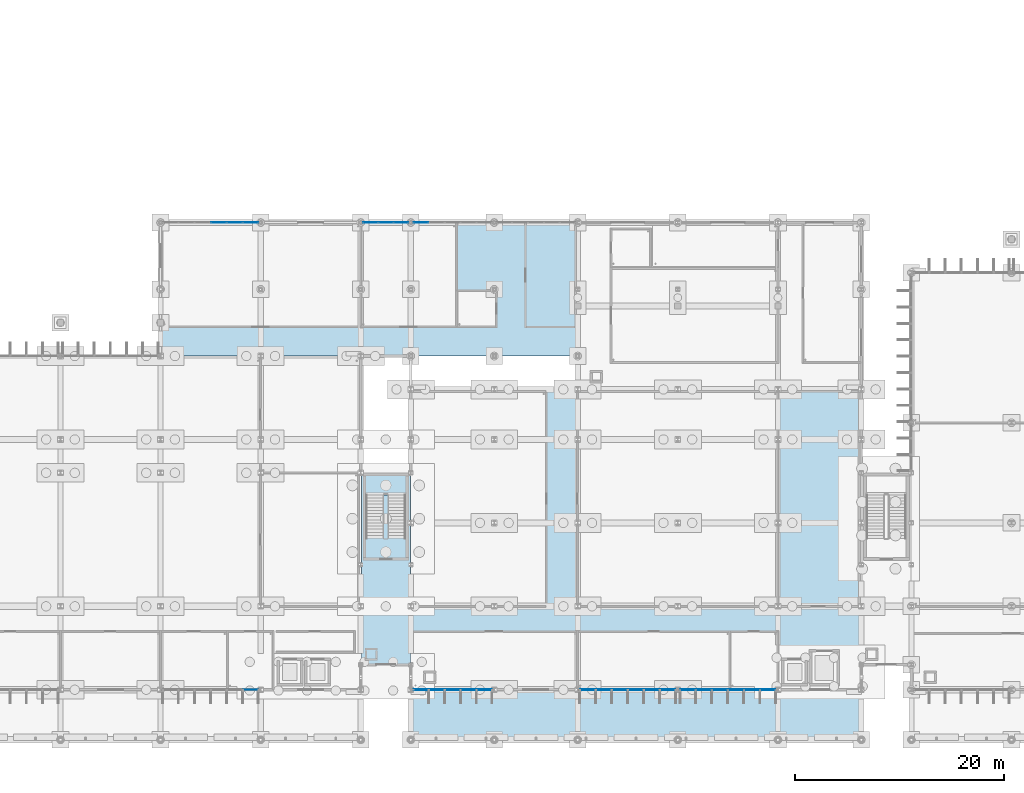
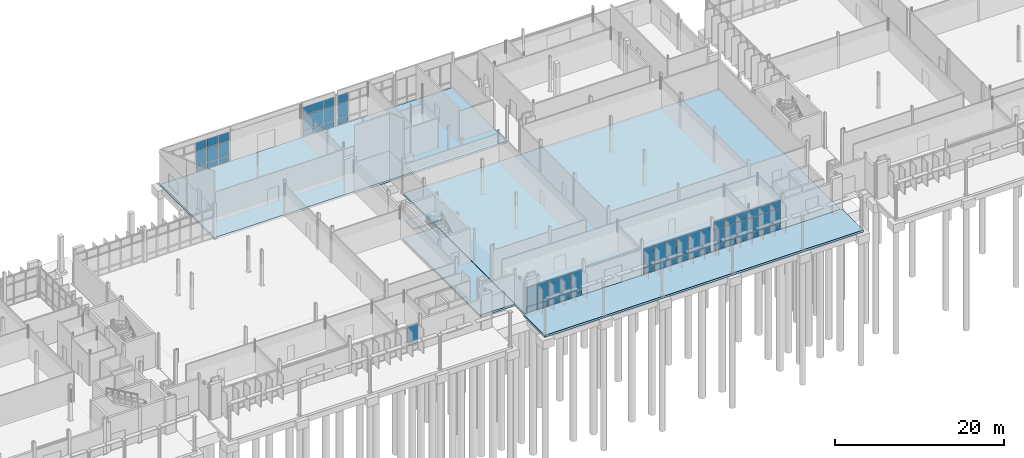
# One storey, part 44 of 111: 62 plates, 5 slabs, 8 elements without a shape of their own.
"""IFC4 building model written with IfcOpenShell, lengths in metres."""

import ifcopenshell
import ifcopenshell.guid

model = None  # the IFC model being written
_history = None  # IfcOwnerHistory: only IFC2X3 demands one
_inside = {}  # id of a spatial element -> (the spatial element, [elements in it])
_under = {}  # id of a project, library or spatial element -> (it, [spatial elements below it])
_declared = {}  # id of a project -> (the project, [libraries it declares])
_typed = {}  # id of a type object -> (the type object, [elements of that type])
_made_of = {}  # id of a material, layer set ... -> (it, [elements and type objects made of it])


def new_model(schema):
    """Start an empty IFC model of exactly this schema.

    Asked for "IFC4X3", IfcOpenShell would pick the latest addendum, in which some entities
    have other attributes; the version numbers below select the first issue.
    IFC2X3 requires an IfcOwnerHistory on every rooted entity: one is made here for all.
    """
    global model, _history
    if schema == "IFC4X3":
        model = ifcopenshell.file(schema_version=(4, 3, 0, 0))
    else:
        model = ifcopenshell.file(schema=schema)
    _inside.clear()
    _under.clear()
    _declared.clear()
    _typed.clear()
    _made_of.clear()
    _history = None
    if model.schema == "IFC2X3":
        org = make("IfcOrganization", Name="unknown")
        user = make(
            "IfcPersonAndOrganization",
            ThePerson=make("IfcPerson", FamilyName="unknown"),
            TheOrganization=org,
        )
        app = make(
            "IfcApplication",
            ApplicationDeveloper=org,
            Version="unknown",
            ApplicationFullName="unknown",
            ApplicationIdentifier="unknown",
        )
        _history = make(
            "IfcOwnerHistory",
            OwningUser=user,
            OwningApplication=app,
            ChangeAction="ADDED",
            CreationDate=0,
        )
    return model


def make(cls, **values):
    """One entity of the class cls with the attributes given. An attribute that is None is left unset."""
    return model.create_entity(
        cls, **{name: value for name, value in values.items() if value is not None}
    )


def rooted(cls, **values):
    """An entity with a GlobalId (a new one), such as an element, a storey or a relation."""
    return make(cls, GlobalId=ifcopenshell.guid.new(), OwnerHistory=_history, **values)


def si_unit(unit_type, name, prefix=None):
    """IfcSIUnit, for example si_unit("LENGTHUNIT", "METRE", prefix="MILLI")."""
    return make("IfcSIUnit", UnitType=unit_type, Prefix=prefix, Name=name)


def assignment(units):
    """IfcUnitAssignment: the units of a project."""
    return None if units is None else make("IfcUnitAssignment", Units=units)


def point(xyz):
    """IfcCartesianPoint."""
    return None if xyz is None else make("IfcCartesianPoint", Coordinates=xyz)


def direction(xyz):
    """IfcDirection."""
    return None if xyz is None else make("IfcDirection", DirectionRatios=xyz)


def frame(location, z_axis=None, x_axis=None):
    """IfcAxis2Placement3D, a coordinate frame: its origin and axes. An axis left out is left unset."""
    return make(
        "IfcAxis2Placement3D",
        Location=point(location),
        Axis=direction(z_axis),
        RefDirection=direction(x_axis),
    )


def frame_2d(location, x_axis=None):
    """IfcAxis2Placement2D, a coordinate frame in the plane: its origin and x axis."""
    return make(
        "IfcAxis2Placement2D", Location=point(location), RefDirection=direction(x_axis)
    )


def origin():
    """The frame at (0, 0, 0) with its axes left unset."""
    return frame((0.0, 0.0, 0.0))


def origin_2d():
    """The frame at (0, 0) in the plane with its x axis left unset."""
    return frame_2d((0.0, 0.0))


def place(relative_to, where):
    """IfcLocalPlacement: puts the frame where relative to a parent placement (None: the world)."""
    return make(
        "IfcLocalPlacement", PlacementRelTo=relative_to, RelativePlacement=where
    )


def context(
    kind, dimensions, precision=None, world=None, true_north=None, identifier=None
):
    """IfcGeometricRepresentationContext, for example the 3D "Model" context."""
    return make(
        "IfcGeometricRepresentationContext",
        ContextIdentifier=identifier,
        ContextType=kind,
        CoordinateSpaceDimension=dimensions,
        Precision=precision,
        WorldCoordinateSystem=world,
        TrueNorth=true_north,
    )


def subcontext(parent, identifier, kind, view, scale=None):
    """IfcGeometricRepresentationSubContext, for example "Body" below "Model"."""
    return make(
        "IfcGeometricRepresentationSubContext",
        ContextIdentifier=identifier,
        ContextType=kind,
        ParentContext=parent,
        TargetScale=scale,
        TargetView=view,
    )


def project(units=None, contexts=None):
    """IfcProject with its units and contexts."""
    return rooted(
        "IfcProject",
        Name="project",
        RepresentationContexts=contexts,
        UnitsInContext=assignment(units),
    )


def spatial(cls, under=None, at=None, **own):
    """A site, building, storey or space (cls), placed at a placement, below another one or the project."""
    s = rooted(cls, ObjectPlacement=at, **own)
    if under is not None:
        _under.setdefault(under.id(), (under, []))[1].append(s)
    return s


def polyline(points):
    """IfcPolyline through the points."""
    return make("IfcPolyline", Points=[point(p) for p in points])


def profile(cls, at=None, kind="AREA", **sizes):
    """A parametric profile (cls). Its sizes go by their IFC names, for example OverallWidth=200.0."""
    return make(cls, ProfileType=kind, Position=at, **sizes)


def rectangle(**sizes):
    """IfcRectangleProfileDef."""
    return profile("IfcRectangleProfileDef", **sizes)


def outline(outer, holes=None, kind="AREA"):
    """IfcArbitraryClosedProfileDef: a profile drawn as a closed curve; with holes, ...WithVoids."""
    if holes is None:
        return make("IfcArbitraryClosedProfileDef", ProfileType=kind, OuterCurve=outer)
    return make(
        "IfcArbitraryProfileDefWithVoids",
        ProfileType=kind,
        OuterCurve=outer,
        InnerCurves=holes,
    )


def extrude(swept, where, along, depth):
    """IfcExtrudedAreaSolid: the profile swept, set in the frame where, extruded along a direction by depth."""
    return make(
        "IfcExtrudedAreaSolid",
        SweptArea=swept,
        Position=where,
        ExtrudedDirection=direction(along),
        Depth=depth,
    )


def shape(context_of_items, identifier, shape_type, items):
    """IfcShapeRepresentation: the items that make up one representation, for example the "Body"."""
    return make(
        "IfcShapeRepresentation",
        ContextOfItems=context_of_items,
        RepresentationIdentifier=identifier,
        RepresentationType=shape_type,
        Items=items,
    )


def material(Name=None, Category=None):
    """IfcMaterial."""
    return make("IfcMaterial", Name=Name, Category=Category)


def layer(
    of_material, thickness, ventilated=None, Name=None, Category=None, Priority=None
):
    """IfcMaterialLayer: one layer of a wall or slab, of a material (None: an air gap)."""
    return make(
        "IfcMaterialLayer",
        Material=of_material,
        LayerThickness=thickness,
        IsVentilated=ventilated,
        Name=Name,
        Category=Category,
        Priority=Priority,
    )


def layer_set(layers, Name=None):
    """IfcMaterialLayerSet."""
    return make("IfcMaterialLayerSet", MaterialLayers=layers, LayerSetName=Name)


def made_of(thing, what):
    """Note that an element or type object is made of a material, layer set ...; save() writes the relation."""
    if what is not None:
        _made_of.setdefault(what.id(), (what, []))[1].append(thing)
    return thing


def type_object(cls, material=None, **own):
    """A type object (cls), such as IfcWallType, which elements share."""
    return made_of(rooted(cls, **own), material)


def element(
    cls,
    number,
    at=None,
    inside=None,
    cuts=None,
    type_object=None,
    material=None,
    context=None,
    identifier="Body",
    shape_type=None,
    held_by="IfcProductDefinitionShape",
    body=None,
    shapes=None,
    **own,
):
    """One element of the class cls, such as IfcWall. Its Tag is "e" and its number.

    at: its placement. inside: the storey or other place that contains it. cuts: it is an
    opening in that element (IfcRelVoidsElement). A single representation is given by context,
    identifier, shape_type and body (its items); several are given by shapes. held_by: the class
    of the entity that holds the representations. save() writes the other relations.
    """
    e = rooted(cls, Tag="e%d" % number, ObjectPlacement=at, **own)
    if body is not None:
        shapes = [shape(context, identifier, shape_type, body)]
    if shapes is not None:
        e.Representation = make(held_by, Representations=shapes)
    if inside is not None:
        _inside.setdefault(inside.id(), (inside, []))[1].append(e)
    if cuts is not None:
        rooted(
            "IfcRelVoidsElement", RelatingBuildingElement=cuts, RelatedOpeningElement=e
        )
    if type_object is not None:
        _typed.setdefault(type_object.id(), (type_object, []))[1].append(e)
    return made_of(e, material)


def aggregate(whole, parts):
    """IfcRelAggregates: a whole, such as a stair, and the parts it consists of."""
    return rooted("IfcRelAggregates", RelatingObject=whole, RelatedObjects=parts)


def save(model, path):
    """Write the relations noted so far, then the file.

    IfcRelAggregates (storeys below a building ...), IfcRelContainedInSpatialStructure (elements
    in a storey), IfcRelDefinesByType, IfcRelAssociatesMaterial and IfcRelDeclares: one each for
    every whole, place, type object, material and project.
    """
    for whole, parts in _under.values():
        aggregate(whole, parts)
    for where, things in _inside.values():
        rooted(
            "IfcRelContainedInSpatialStructure",
            RelatedElements=things,
            RelatingStructure=where,
        )
    for kind, things in _typed.values():
        rooted("IfcRelDefinesByType", RelatedObjects=things, RelatingType=kind)
    for what, things in _made_of.values():
        rooted("IfcRelAssociatesMaterial", RelatedObjects=things, RelatingMaterial=what)
    for by, libraries in _declared.values():
        rooted("IfcRelDeclares", RelatingContext=by, RelatedDefinitions=libraries)
    model.write(path)


model = new_model("IFC4")

# Units and contexts
model_context = context("Model", 3, precision=1e-05, world=origin(), true_north=direction((0.0, 1.0)))
body_context = subcontext(model_context, "Body", "Model", "MODEL_VIEW")
ifc_project = project(units=[si_unit("LENGTHUNIT", "METRE"), si_unit("AREAUNIT", "SQUARE_METRE"), si_unit("VOLUMEUNIT", "CUBIC_METRE"), si_unit("PLANEANGLEUNIT", "RADIAN"), si_unit("MASSUNIT", "GRAM", prefix="KILO")], contexts=[model_context])

# Site, building, storey
site_placement = place(None, origin())
site = spatial("IfcSite", under=ifc_project, at=site_placement, CompositionType="ELEMENT")
building_placement = place(site_placement, origin())
building = spatial("IfcBuilding", under=site, at=building_placement, Name="Dunescarp Central Library", CompositionType="ELEMENT")
storey_placement = place(building_placement, origin())
storey = spatial("IfcBuildingStorey", under=building, at=storey_placement, Name="L00", CompositionType="ELEMENT", Elevation=0.0)

# Curtain wall, plate
ifc_material_1 = material(Name="Marine-grade anodised aluminium 6063-T6", Category="aluminium")
curtain_wall_type = type_object("IfcCurtainWallType", Name="ARC-CW-STICK", PredefinedType="NOTDEFINED", material=ifc_material_1)
curtain_wall_1_placement = place(storey_placement, origin())
curtain_wall_1 = element("IfcCurtainWall", 1, at=curtain_wall_1_placement, inside=storey, type_object=curtain_wall_type, Name="L00 curtain wall CW-V2-045", PredefinedType="NOTDEFINED")
ifc_material_2 = material(Name="Solar-control laminated double glazing", Category="glass")
ifc_layer_1 = layer(ifc_material_2, 0.028076171875)
ifc_layer_set_1 = layer_set([ifc_layer_1], Name="Solar-control laminated double glazing")
plate_type_1 = type_object("IfcPlateType", Name="ARC-PLT-GLZ28", PredefinedType="CURTAIN_PANEL", material=ifc_layer_set_1)
plate_1_placement = place(storey_placement, frame((66.234130859375, 4.800048828125, 0.93994140625), z_axis=(0.0, 0.0, 1.0), x_axis=(-1.0, 0.0, 0.0)))
plate_1 = element("IfcPlate", 2, at=plate_1_placement, type_object=plate_type_1, Name="CW-V2-045 panel 1.2", PredefinedType="CURTAIN_PANEL", context=body_context, shape_type="SweptSolid", body=[
    extrude(rectangle(XDim=1.421630859375, YDim=0.028076171875, at=origin_2d()), origin(), (0.0, 0.0, 1.0), 2.784912109375),
])
aggregate(curtain_wall_1, [plate_1])

# Curtain wall, plates
curtain_wall_2_placement = place(storey_placement, origin())
curtain_wall_2 = element("IfcCurtainWall", 3, at=curtain_wall_2_placement, inside=storey, type_object=curtain_wall_type, Name="L00 curtain wall CW-V3-081", PredefinedType="NOTDEFINED")
plate_2_placement = place(storey_placement, frame((88.639892578125, 4.800048828125, 0.93994140625), z_axis=(0.0, 0.0, 1.0), x_axis=(-1.0, 0.0, 0.0)))
plate_2 = element("IfcPlate", 4, at=plate_2_placement, type_object=plate_type_1, Name="CW-V3-081 panel 1.2", PredefinedType="CURTAIN_PANEL", context=body_context, shape_type="SweptSolid", body=[
    extrude(rectangle(XDim=1.409912109375, YDim=0.028076171875, at=origin_2d()), origin(), (0.0, 0.0, 1.0), 2.784912109375),
])
plate_3_placement = place(storey_placement, frame((87.1298828125, 4.800048828125, 0.93994140625), z_axis=(0.0, 0.0, 1.0), x_axis=(-1.0, 0.0, 0.0)))
plate_3 = element("IfcPlate", 5, at=plate_3_placement, type_object=plate_type_1, Name="CW-V3-081 panel 2.2", PredefinedType="CURTAIN_PANEL", context=body_context, shape_type="SweptSolid", body=[
    extrude(rectangle(XDim=1.449951171875, YDim=0.028076171875, at=origin_2d()), origin(), (0.0, 0.0, 1.0), 2.784912109375),
])
plate_4_placement = place(storey_placement, frame((85.60009765625, 4.800048828125, 0.93994140625), z_axis=(0.0, 0.0, 1.0), x_axis=(-1.0, 0.0, 0.0)))
plate_4 = element("IfcPlate", 6, at=plate_4_placement, type_object=plate_type_1, Name="CW-V3-081 panel 3.2", PredefinedType="CURTAIN_PANEL", context=body_context, shape_type="SweptSolid", body=[
    extrude(rectangle(XDim=1.449951171875, YDim=0.028076171875, at=origin_2d()), origin(), (0.0, 0.0, 1.0), 2.784912109375),
])
plate_5_placement = place(storey_placement, frame((84.070068359375, 4.800048828125, 0.93994140625), z_axis=(0.0, 0.0, 1.0), x_axis=(-1.0, 0.0, 0.0)))
plate_5 = element("IfcPlate", 7, at=plate_5_placement, type_object=plate_type_1, Name="CW-V3-081 panel 4.2", PredefinedType="CURTAIN_PANEL", context=body_context, shape_type="SweptSolid", body=[
    extrude(rectangle(XDim=1.449951171875, YDim=0.028076171875, at=origin_2d()), origin(), (0.0, 0.0, 1.0), 2.784912109375),
])
plate_6_placement = place(storey_placement, frame((82.56005859375, 4.800048828125, 0.93994140625), z_axis=(0.0, 0.0, 1.0), x_axis=(-1.0, 0.0, 0.0)))
plate_6 = element("IfcPlate", 8, at=plate_6_placement, type_object=plate_type_1, Name="CW-V3-081 panel 5.2", PredefinedType="CURTAIN_PANEL", context=body_context, shape_type="SweptSolid", body=[
    extrude(rectangle(XDim=1.409912109375, YDim=0.028076171875, at=origin_2d()), origin(), (0.0, 0.0, 1.0), 2.784912109375),
])

curtain_wall_3_placement = place(storey_placement, origin())
curtain_wall_3 = element("IfcCurtainWall", 9, at=curtain_wall_3_placement, inside=storey, type_object=curtain_wall_type, Name="L00 curtain wall CW-V3-082", PredefinedType="NOTDEFINED")
plate_7_placement = place(storey_placement, frame((106.234130859375, 4.800048828125, 0.93994140625), z_axis=(0.0, 0.0, 1.0), x_axis=(-1.0, 0.0, 0.0)))
plate_7 = element("IfcPlate", 10, at=plate_7_placement, type_object=plate_type_1, Name="CW-V3-082 panel 1.2", PredefinedType="CURTAIN_PANEL", context=body_context, shape_type="SweptSolid", body=[
    extrude(rectangle(XDim=1.421630859375, YDim=0.028076171875, at=origin_2d()), origin(), (0.0, 0.0, 1.0), 2.784912109375),
])
plate_8_placement = place(storey_placement, frame((104.71240234375, 4.800048828125, 0.93994140625), z_axis=(0.0, 0.0, 1.0), x_axis=(-1.0, 0.0, 0.0)))
plate_8 = element("IfcPlate", 11, at=plate_8_placement, type_object=plate_type_1, Name="CW-V3-082 panel 2.2", PredefinedType="CURTAIN_PANEL", context=body_context, shape_type="SweptSolid", body=[
    extrude(rectangle(XDim=1.461669921875, YDim=0.028076171875, at=origin_2d()), origin(), (0.0, 0.0, 1.0), 2.784912109375),
])
plate_9_placement = place(storey_placement, frame((103.1708984375, 4.800048828125, 0.93994140625), z_axis=(0.0, 0.0, 1.0), x_axis=(-1.0, 0.0, 0.0)))
plate_9 = element("IfcPlate", 12, at=plate_9_placement, type_object=plate_type_1, Name="CW-V3-082 panel 3.2", PredefinedType="CURTAIN_PANEL", context=body_context, shape_type="SweptSolid", body=[
    extrude(rectangle(XDim=1.461669921875, YDim=0.028076171875, at=origin_2d()), origin(), (0.0, 0.0, 1.0), 2.784912109375),
])
plate_10_placement = place(storey_placement, frame((101.629150390625, 4.800048828125, 0.93994140625), z_axis=(0.0, 0.0, 1.0), x_axis=(-1.0, 0.0, 0.0)))
plate_10 = element("IfcPlate", 13, at=plate_10_placement, type_object=plate_type_1, Name="CW-V3-082 panel 4.2", PredefinedType="CURTAIN_PANEL", context=body_context, shape_type="SweptSolid", body=[
    extrude(rectangle(XDim=1.461669921875, YDim=0.028076171875, at=origin_2d()), origin(), (0.0, 0.0, 1.0), 2.784912109375),
])
plate_11_placement = place(storey_placement, frame((100.08740234375, 4.800048828125, 0.93994140625), z_axis=(0.0, 0.0, 1.0), x_axis=(-1.0, 0.0, 0.0)))
plate_11 = element("IfcPlate", 14, at=plate_11_placement, type_object=plate_type_1, Name="CW-V3-082 panel 5.2", PredefinedType="CURTAIN_PANEL", context=body_context, shape_type="SweptSolid", body=[
    extrude(rectangle(XDim=1.461669921875, YDim=0.028076171875, at=origin_2d()), origin(), (0.0, 0.0, 1.0), 2.784912109375),
])
plate_12_placement = place(storey_placement, frame((98.56591796875, 4.800048828125, 0.93994140625), z_axis=(0.0, 0.0, 1.0), x_axis=(-1.0, 0.0, 0.0)))
plate_12 = element("IfcPlate", 15, at=plate_12_placement, type_object=plate_type_1, Name="CW-V3-082 panel 6.2", PredefinedType="CURTAIN_PANEL", context=body_context, shape_type="SweptSolid", body=[
    extrude(rectangle(XDim=1.421630859375, YDim=0.028076171875, at=origin_2d()), origin(), (0.0, 0.0, 1.0), 2.784912109375),
])

curtain_wall_4_placement = place(storey_placement, origin())
curtain_wall_4 = element("IfcCurtainWall", 16, at=curtain_wall_4_placement, inside=storey, type_object=curtain_wall_type, Name="L00 curtain wall CW-V3-083", PredefinedType="NOTDEFINED")
plate_13_placement = place(storey_placement, frame((115.834228515625, 4.800048828125, 0.93994140625), z_axis=(0.0, 0.0, 1.0), x_axis=(-1.0, 0.0, 0.0)))
plate_13 = element("IfcPlate", 17, at=plate_13_placement, type_object=plate_type_1, Name="CW-V3-083 panel 1.2", PredefinedType="CURTAIN_PANEL", context=body_context, shape_type="SweptSolid", body=[
    extrude(rectangle(XDim=1.421630859375, YDim=0.028076171875, at=origin_2d()), origin(), (0.0, 0.0, 1.0), 2.1201171875),
])
plate_14_placement = place(storey_placement, frame((115.834228515625, 4.800048828125, 3.14013671875), z_axis=(0.0, 0.0, 1.0), x_axis=(-1.0, 0.0, 0.0)))
plate_14 = element("IfcPlate", 18, at=plate_14_placement, type_object=plate_type_1, Name="CW-V3-083 panel 1.3", PredefinedType="CURTAIN_PANEL", context=body_context, shape_type="SweptSolid", body=[
    extrude(rectangle(XDim=1.421630859375, YDim=0.028076171875, at=origin_2d()), origin(), (0.0, 0.0, 1.0), 1.0849609375),
])
plate_15_placement = place(storey_placement, frame((114.3125, 4.800048828125, 0.93994140625), z_axis=(0.0, 0.0, 1.0), x_axis=(-1.0, 0.0, 0.0)))
plate_15 = element("IfcPlate", 19, at=plate_15_placement, type_object=plate_type_1, Name="CW-V3-083 panel 2.2", PredefinedType="CURTAIN_PANEL", context=body_context, shape_type="SweptSolid", body=[
    extrude(rectangle(XDim=1.461669921875, YDim=0.028076171875, at=origin_2d()), origin(), (0.0, 0.0, 1.0), 2.1201171875),
])
plate_16_placement = place(storey_placement, frame((114.3125, 4.800048828125, 3.14013671875), z_axis=(0.0, 0.0, 1.0), x_axis=(-1.0, 0.0, 0.0)))
plate_16 = element("IfcPlate", 20, at=plate_16_placement, type_object=plate_type_1, Name="CW-V3-083 panel 2.3", PredefinedType="CURTAIN_PANEL", context=body_context, shape_type="SweptSolid", body=[
    extrude(rectangle(XDim=1.461669921875, YDim=0.028076171875, at=origin_2d()), origin(), (0.0, 0.0, 1.0), 1.0849609375),
])
plate_17_placement = place(storey_placement, frame((112.770751953125, 4.800048828125, 0.93994140625), z_axis=(0.0, 0.0, 1.0), x_axis=(-1.0, 0.0, 0.0)))
plate_17 = element("IfcPlate", 21, at=plate_17_placement, type_object=plate_type_1, Name="CW-V3-083 panel 3.2", PredefinedType="CURTAIN_PANEL", context=body_context, shape_type="SweptSolid", body=[
    extrude(rectangle(XDim=1.461669921875, YDim=0.028076171875, at=origin_2d()), origin(), (0.0, 0.0, 1.0), 2.1201171875),
])
plate_18_placement = place(storey_placement, frame((112.770751953125, 4.800048828125, 3.14013671875), z_axis=(0.0, 0.0, 1.0), x_axis=(-1.0, 0.0, 0.0)))
plate_18 = element("IfcPlate", 22, at=plate_18_placement, type_object=plate_type_1, Name="CW-V3-083 panel 3.3", PredefinedType="CURTAIN_PANEL", context=body_context, shape_type="SweptSolid", body=[
    extrude(rectangle(XDim=1.461669921875, YDim=0.028076171875, at=origin_2d()), origin(), (0.0, 0.0, 1.0), 1.0849609375),
])
plate_19_placement = place(storey_placement, frame((111.229248046875, 4.800048828125, 0.93994140625), z_axis=(0.0, 0.0, 1.0), x_axis=(-1.0, 0.0, 0.0)))
plate_19 = element("IfcPlate", 23, at=plate_19_placement, type_object=plate_type_1, Name="CW-V3-083 panel 4.2", PredefinedType="CURTAIN_PANEL", context=body_context, shape_type="SweptSolid", body=[
    extrude(rectangle(XDim=1.461669921875, YDim=0.028076171875, at=origin_2d()), origin(), (0.0, 0.0, 1.0), 2.1201171875),
])
plate_20_placement = place(storey_placement, frame((111.229248046875, 4.800048828125, 3.14013671875), z_axis=(0.0, 0.0, 1.0), x_axis=(-1.0, 0.0, 0.0)))
plate_20 = element("IfcPlate", 24, at=plate_20_placement, type_object=plate_type_1, Name="CW-V3-083 panel 4.3", PredefinedType="CURTAIN_PANEL", context=body_context, shape_type="SweptSolid", body=[
    extrude(rectangle(XDim=1.461669921875, YDim=0.028076171875, at=origin_2d()), origin(), (0.0, 0.0, 1.0), 1.0849609375),
])
plate_21_placement = place(storey_placement, frame((109.6875, 4.800048828125, 0.93994140625), z_axis=(0.0, 0.0, 1.0), x_axis=(-1.0, 0.0, 0.0)))
plate_21 = element("IfcPlate", 25, at=plate_21_placement, type_object=plate_type_1, Name="CW-V3-083 panel 5.2", PredefinedType="CURTAIN_PANEL", context=body_context, shape_type="SweptSolid", body=[
    extrude(rectangle(XDim=1.461669921875, YDim=0.028076171875, at=origin_2d()), origin(), (0.0, 0.0, 1.0), 2.1201171875),
])
plate_22_placement = place(storey_placement, frame((109.6875, 4.800048828125, 3.14013671875), z_axis=(0.0, 0.0, 1.0), x_axis=(-1.0, 0.0, 0.0)))
plate_22 = element("IfcPlate", 26, at=plate_22_placement, type_object=plate_type_1, Name="CW-V3-083 panel 5.3", PredefinedType="CURTAIN_PANEL", context=body_context, shape_type="SweptSolid", body=[
    extrude(rectangle(XDim=1.461669921875, YDim=0.028076171875, at=origin_2d()), origin(), (0.0, 0.0, 1.0), 1.0849609375),
])
plate_23_placement = place(storey_placement, frame((108.165771484375, 4.800048828125, 0.93994140625), z_axis=(0.0, 0.0, 1.0), x_axis=(-1.0, 0.0, 0.0)))
plate_23 = element("IfcPlate", 27, at=plate_23_placement, type_object=plate_type_1, Name="CW-V3-083 panel 6.2", PredefinedType="CURTAIN_PANEL", context=body_context, shape_type="SweptSolid", body=[
    extrude(rectangle(XDim=1.421630859375, YDim=0.028076171875, at=origin_2d()), origin(), (0.0, 0.0, 1.0), 2.1201171875),
])
plate_24_placement = place(storey_placement, frame((108.165771484375, 4.800048828125, 3.14013671875), z_axis=(0.0, 0.0, 1.0), x_axis=(-1.0, 0.0, 0.0)))
plate_24 = element("IfcPlate", 28, at=plate_24_placement, type_object=plate_type_1, Name="CW-V3-083 panel 6.3", PredefinedType="CURTAIN_PANEL", context=body_context, shape_type="SweptSolid", body=[
    extrude(rectangle(XDim=1.421630859375, YDim=0.028076171875, at=origin_2d()), origin(), (0.0, 0.0, 1.0), 1.0849609375),
])

curtain_wall_5_placement = place(storey_placement, origin())
curtain_wall_5 = element("IfcCurtainWall", 29, at=curtain_wall_5_placement, inside=storey, type_object=curtain_wall_type, Name="L00 curtain wall CW-CLN-189", PredefinedType="NOTDEFINED")
plate_25_placement = place(storey_placement, frame((63.1708984375, 49.60009765625, 0.93994140625), z_axis=(0.0, 0.0, 1.0), x_axis=(1.0, 0.0, 0.0)))
plate_25 = element("IfcPlate", 30, at=plate_25_placement, type_object=plate_type_1, Name="CW-CLN-189 panel 4.2", PredefinedType="CURTAIN_PANEL", context=body_context, shape_type="SweptSolid", body=[
    extrude(rectangle(XDim=1.461669921875, YDim=0.028076171875, at=origin_2d()), origin(), (0.0, 0.0, 1.0), 2.1201171875),
])
plate_26_placement = place(storey_placement, frame((63.1708984375, 49.60009765625, 3.14013671875), z_axis=(0.0, 0.0, 1.0), x_axis=(1.0, 0.0, 0.0)))
plate_26 = element("IfcPlate", 31, at=plate_26_placement, type_object=plate_type_1, Name="CW-CLN-189 panel 4.3", PredefinedType="CURTAIN_PANEL", context=body_context, shape_type="SweptSolid", body=[
    extrude(rectangle(XDim=1.461669921875, YDim=0.028076171875, at=origin_2d()), origin(), (0.0, 0.0, 1.0), 1.152099609375),
])
plate_27_placement = place(storey_placement, frame((64.71240234375, 49.60009765625, 0.93994140625), z_axis=(0.0, 0.0, 1.0), x_axis=(1.0, 0.0, 0.0)))
plate_27 = element("IfcPlate", 32, at=plate_27_placement, type_object=plate_type_1, Name="CW-CLN-189 panel 5.2", PredefinedType="CURTAIN_PANEL", context=body_context, shape_type="SweptSolid", body=[
    extrude(rectangle(XDim=1.461669921875, YDim=0.028076171875, at=origin_2d()), origin(), (0.0, 0.0, 1.0), 2.1201171875),
])
plate_28_placement = place(storey_placement, frame((64.71240234375, 49.60009765625, 3.14013671875), z_axis=(0.0, 0.0, 1.0), x_axis=(1.0, 0.0, 0.0)))
plate_28 = element("IfcPlate", 33, at=plate_28_placement, type_object=plate_type_1, Name="CW-CLN-189 panel 5.3", PredefinedType="CURTAIN_PANEL", context=body_context, shape_type="SweptSolid", body=[
    extrude(rectangle(XDim=1.461669921875, YDim=0.028076171875, at=origin_2d()), origin(), (0.0, 0.0, 1.0), 1.152099609375),
])
plate_29_placement = place(storey_placement, frame((66.234130859375, 49.60009765625, 0.93994140625), z_axis=(0.0, 0.0, 1.0), x_axis=(1.0, 0.0, 0.0)))
plate_29 = element("IfcPlate", 34, at=plate_29_placement, type_object=plate_type_1, Name="CW-CLN-189 panel 6.2", PredefinedType="CURTAIN_PANEL", context=body_context, shape_type="SweptSolid", body=[
    extrude(rectangle(XDim=1.421630859375, YDim=0.028076171875, at=origin_2d()), origin(), (0.0, 0.0, 1.0), 2.1201171875),
])
plate_30_placement = place(storey_placement, frame((66.234130859375, 49.60009765625, 3.14013671875), z_axis=(0.0, 0.0, 1.0), x_axis=(1.0, 0.0, 0.0)))
plate_30 = element("IfcPlate", 35, at=plate_30_placement, type_object=plate_type_1, Name="CW-CLN-189 panel 6.3", PredefinedType="CURTAIN_PANEL", context=body_context, shape_type="SweptSolid", body=[
    extrude(rectangle(XDim=1.421630859375, YDim=0.028076171875, at=origin_2d()), origin(), (0.0, 0.0, 1.0), 1.152099609375),
])

curtain_wall_6_placement = place(storey_placement, origin())
curtain_wall_6 = element("IfcCurtainWall", 36, at=curtain_wall_6_placement, inside=storey, type_object=curtain_wall_type, Name="L00 curtain wall CW-CLN-190", PredefinedType="NOTDEFINED")
plate_31_placement = place(storey_placement, frame((77.736572265625, 49.60009765625, 0.93994140625), z_axis=(0.0, 0.0, 1.0), x_axis=(1.0, 0.0, 0.0)))
plate_31 = element("IfcPlate", 37, at=plate_31_placement, type_object=plate_type_1, Name="CW-CLN-190 panel 1.2", PredefinedType="CURTAIN_PANEL", context=body_context, shape_type="SweptSolid", body=[
    extrude(rectangle(XDim=1.36328125, YDim=0.028076171875, at=origin_2d()), origin(), (0.0, 0.0, 1.0), 2.1201171875),
])
plate_32_placement = place(storey_placement, frame((77.736572265625, 49.60009765625, 3.14013671875), z_axis=(0.0, 0.0, 1.0), x_axis=(1.0, 0.0, 0.0)))
plate_32 = element("IfcPlate", 38, at=plate_32_placement, type_object=plate_type_1, Name="CW-CLN-190 panel 1.3", PredefinedType="CURTAIN_PANEL", context=body_context, shape_type="SweptSolid", body=[
    extrude(rectangle(XDim=1.36328125, YDim=0.028076171875, at=origin_2d()), origin(), (0.0, 0.0, 1.0), 1.152099609375),
])
plate_33_placement = place(storey_placement, frame((79.199951171875, 49.60009765625, 0.93994140625), z_axis=(0.0, 0.0, 1.0), x_axis=(1.0, 0.0, 0.0)))
plate_33 = element("IfcPlate", 39, at=plate_33_placement, type_object=plate_type_1, Name="CW-CLN-190 panel 2.2", PredefinedType="CURTAIN_PANEL", context=body_context, shape_type="SweptSolid", body=[
    extrude(rectangle(XDim=1.4033203125, YDim=0.028076171875, at=origin_2d()), origin(), (0.0, 0.0, 1.0), 2.1201171875),
])
plate_34_placement = place(storey_placement, frame((79.199951171875, 49.60009765625, 3.14013671875), z_axis=(0.0, 0.0, 1.0), x_axis=(1.0, 0.0, 0.0)))
plate_34 = element("IfcPlate", 40, at=plate_34_placement, type_object=plate_type_1, Name="CW-CLN-190 panel 2.3", PredefinedType="CURTAIN_PANEL", context=body_context, shape_type="SweptSolid", body=[
    extrude(rectangle(XDim=1.4033203125, YDim=0.028076171875, at=origin_2d()), origin(), (0.0, 0.0, 1.0), 1.152099609375),
])
plate_35_placement = place(storey_placement, frame((80.663330078125, 49.60009765625, 0.93994140625), z_axis=(0.0, 0.0, 1.0), x_axis=(1.0, 0.0, 0.0)))
plate_35 = element("IfcPlate", 41, at=plate_35_placement, type_object=plate_type_1, Name="CW-CLN-190 panel 3.2", PredefinedType="CURTAIN_PANEL", context=body_context, shape_type="SweptSolid", body=[
    extrude(rectangle(XDim=1.36328125, YDim=0.028076171875, at=origin_2d()), origin(), (0.0, 0.0, 1.0), 2.1201171875),
])
plate_36_placement = place(storey_placement, frame((80.663330078125, 49.60009765625, 3.14013671875), z_axis=(0.0, 0.0, 1.0), x_axis=(1.0, 0.0, 0.0)))
plate_36 = element("IfcPlate", 42, at=plate_36_placement, type_object=plate_type_1, Name="CW-CLN-190 panel 3.3", PredefinedType="CURTAIN_PANEL", context=body_context, shape_type="SweptSolid", body=[
    extrude(rectangle(XDim=1.36328125, YDim=0.028076171875, at=origin_2d()), origin(), (0.0, 0.0, 1.0), 1.152099609375),
])

curtain_wall_7_placement = place(storey_placement, origin())
curtain_wall_7 = element("IfcCurtainWall", 43, at=curtain_wall_7_placement, inside=storey, type_object=curtain_wall_type, Name="L00 curtain wall CW-CLN-191", PredefinedType="NOTDEFINED")
plate_37_placement = place(storey_placement, frame((82.56005859375, 49.60009765625, 0.93994140625), z_axis=(0.0, 0.0, 1.0), x_axis=(1.0, 0.0, 0.0)))
plate_37 = element("IfcPlate", 44, at=plate_37_placement, type_object=plate_type_1, Name="CW-CLN-191 panel 1.2", PredefinedType="CURTAIN_PANEL", context=body_context, shape_type="SweptSolid", body=[
    extrude(rectangle(XDim=1.409912109375, YDim=0.028076171875, at=origin_2d()), origin(), (0.0, 0.0, 1.0), 2.1201171875),
])
plate_38_placement = place(storey_placement, frame((82.56005859375, 49.60009765625, 3.14013671875), z_axis=(0.0, 0.0, 1.0), x_axis=(1.0, 0.0, 0.0)))
plate_38 = element("IfcPlate", 45, at=plate_38_placement, type_object=plate_type_1, Name="CW-CLN-191 panel 1.3", PredefinedType="CURTAIN_PANEL", context=body_context, shape_type="SweptSolid", body=[
    extrude(rectangle(XDim=1.409912109375, YDim=0.028076171875, at=origin_2d()), origin(), (0.0, 0.0, 1.0), 1.152099609375),
])

# Plate
ifc_layer_2 = layer(ifc_material_1, 0.050048828125)
ifc_layer_set_2 = layer_set([ifc_layer_2], Name="Marine-grade anodised aluminium 6063-T6")
plate_type_2 = type_object("IfcPlateType", Name="ARC-PLT-SPN50", PredefinedType="SHEET", material=ifc_layer_set_2)
plate_39_placement = place(storey_placement, frame((88.639892578125, 4.800048828125, 0.080078125), z_axis=(0.0, 0.0, 1.0), x_axis=(-1.0, 0.0, 0.0)))
plate_39 = element("IfcPlate", 46, at=plate_39_placement, type_object=plate_type_2, Name="CW-V3-081 panel 1.1", PredefinedType="SHEET", context=body_context, shape_type="SweptSolid", body=[
    extrude(rectangle(XDim=1.409912109375, YDim=0.050048828125, at=origin_2d()), origin(), (0.0, 0.0, 1.0), 0.780029296875),
])

plate_40_placement = place(storey_placement, frame((87.1298828125, 4.800048828125, 0.080078125), z_axis=(0.0, 0.0, 1.0), x_axis=(-1.0, 0.0, 0.0)))
plate_40 = element("IfcPlate", 47, at=plate_40_placement, type_object=plate_type_2, Name="CW-V3-081 panel 2.1", PredefinedType="SHEET", context=body_context, shape_type="SweptSolid", body=[
    extrude(rectangle(XDim=1.449951171875, YDim=0.050048828125, at=origin_2d()), origin(), (0.0, 0.0, 1.0), 0.780029296875),
])

plate_41_placement = place(storey_placement, frame((85.60009765625, 4.800048828125, 0.080078125), z_axis=(0.0, 0.0, 1.0), x_axis=(-1.0, 0.0, 0.0)))
plate_41 = element("IfcPlate", 48, at=plate_41_placement, type_object=plate_type_2, Name="CW-V3-081 panel 3.1", PredefinedType="SHEET", context=body_context, shape_type="SweptSolid", body=[
    extrude(rectangle(XDim=1.449951171875, YDim=0.050048828125, at=origin_2d()), origin(), (0.0, 0.0, 1.0), 0.780029296875),
])

plate_42_placement = place(storey_placement, frame((84.070068359375, 4.800048828125, 0.080078125), z_axis=(0.0, 0.0, 1.0), x_axis=(-1.0, 0.0, 0.0)))
plate_42 = element("IfcPlate", 49, at=plate_42_placement, type_object=plate_type_2, Name="CW-V3-081 panel 4.1", PredefinedType="SHEET", context=body_context, shape_type="SweptSolid", body=[
    extrude(rectangle(XDim=1.449951171875, YDim=0.050048828125, at=origin_2d()), origin(), (0.0, 0.0, 1.0), 0.780029296875),
])

plate_43_placement = place(storey_placement, frame((82.56005859375, 4.800048828125, 0.080078125), z_axis=(0.0, 0.0, 1.0), x_axis=(-1.0, 0.0, 0.0)))
plate_43 = element("IfcPlate", 50, at=plate_43_placement, type_object=plate_type_2, Name="CW-V3-081 panel 5.1", PredefinedType="SHEET", context=body_context, shape_type="SweptSolid", body=[
    extrude(rectangle(XDim=1.409912109375, YDim=0.050048828125, at=origin_2d()), origin(), (0.0, 0.0, 1.0), 0.780029296875),
])

aggregate(curtain_wall_2, [plate_39, plate_2, plate_40, plate_3, plate_41, plate_4, plate_42, plate_5, plate_43, plate_6])

plate_44_placement = place(storey_placement, frame((106.234130859375, 4.800048828125, 0.080078125), z_axis=(0.0, 0.0, 1.0), x_axis=(-1.0, 0.0, 0.0)))
plate_44 = element("IfcPlate", 51, at=plate_44_placement, type_object=plate_type_2, Name="CW-V3-082 panel 1.1", PredefinedType="SHEET", context=body_context, shape_type="SweptSolid", body=[
    extrude(rectangle(XDim=1.421630859375, YDim=0.050048828125, at=origin_2d()), origin(), (0.0, 0.0, 1.0), 0.780029296875),
])

plate_45_placement = place(storey_placement, frame((104.71240234375, 4.800048828125, 0.080078125), z_axis=(0.0, 0.0, 1.0), x_axis=(-1.0, 0.0, 0.0)))
plate_45 = element("IfcPlate", 52, at=plate_45_placement, type_object=plate_type_2, Name="CW-V3-082 panel 2.1", PredefinedType="SHEET", context=body_context, shape_type="SweptSolid", body=[
    extrude(rectangle(XDim=1.461669921875, YDim=0.050048828125, at=origin_2d()), origin(), (0.0, 0.0, 1.0), 0.780029296875),
])

plate_46_placement = place(storey_placement, frame((103.1708984375, 4.800048828125, 0.080078125), z_axis=(0.0, 0.0, 1.0), x_axis=(-1.0, 0.0, 0.0)))
plate_46 = element("IfcPlate", 53, at=plate_46_placement, type_object=plate_type_2, Name="CW-V3-082 panel 3.1", PredefinedType="SHEET", context=body_context, shape_type="SweptSolid", body=[
    extrude(rectangle(XDim=1.461669921875, YDim=0.050048828125, at=origin_2d()), origin(), (0.0, 0.0, 1.0), 0.780029296875),
])

plate_47_placement = place(storey_placement, frame((101.629150390625, 4.800048828125, 0.080078125), z_axis=(0.0, 0.0, 1.0), x_axis=(-1.0, 0.0, 0.0)))
plate_47 = element("IfcPlate", 54, at=plate_47_placement, type_object=plate_type_2, Name="CW-V3-082 panel 4.1", PredefinedType="SHEET", context=body_context, shape_type="SweptSolid", body=[
    extrude(rectangle(XDim=1.461669921875, YDim=0.050048828125, at=origin_2d()), origin(), (0.0, 0.0, 1.0), 0.780029296875),
])

plate_48_placement = place(storey_placement, frame((100.08740234375, 4.800048828125, 0.080078125), z_axis=(0.0, 0.0, 1.0), x_axis=(-1.0, 0.0, 0.0)))
plate_48 = element("IfcPlate", 55, at=plate_48_placement, type_object=plate_type_2, Name="CW-V3-082 panel 5.1", PredefinedType="SHEET", context=body_context, shape_type="SweptSolid", body=[
    extrude(rectangle(XDim=1.461669921875, YDim=0.050048828125, at=origin_2d()), origin(), (0.0, 0.0, 1.0), 0.780029296875),
])

plate_49_placement = place(storey_placement, frame((98.56591796875, 4.800048828125, 0.080078125), z_axis=(0.0, 0.0, 1.0), x_axis=(-1.0, 0.0, 0.0)))
plate_49 = element("IfcPlate", 56, at=plate_49_placement, type_object=plate_type_2, Name="CW-V3-082 panel 6.1", PredefinedType="SHEET", context=body_context, shape_type="SweptSolid", body=[
    extrude(rectangle(XDim=1.421630859375, YDim=0.050048828125, at=origin_2d()), origin(), (0.0, 0.0, 1.0), 0.780029296875),
])

aggregate(curtain_wall_3, [plate_44, plate_7, plate_45, plate_8, plate_46, plate_9, plate_47, plate_10, plate_48, plate_11, plate_49, plate_12])

plate_50_placement = place(storey_placement, frame((115.834228515625, 4.800048828125, 0.080078125), z_axis=(0.0, 0.0, 1.0), x_axis=(-1.0, 0.0, 0.0)))
plate_50 = element("IfcPlate", 57, at=plate_50_placement, type_object=plate_type_2, Name="CW-V3-083 panel 1.1", PredefinedType="SHEET", context=body_context, shape_type="SweptSolid", body=[
    extrude(rectangle(XDim=1.421630859375, YDim=0.050048828125, at=origin_2d()), origin(), (0.0, 0.0, 1.0), 0.780029296875),
])

plate_51_placement = place(storey_placement, frame((114.3125, 4.800048828125, 0.080078125), z_axis=(0.0, 0.0, 1.0), x_axis=(-1.0, 0.0, 0.0)))
plate_51 = element("IfcPlate", 58, at=plate_51_placement, type_object=plate_type_2, Name="CW-V3-083 panel 2.1", PredefinedType="SHEET", context=body_context, shape_type="SweptSolid", body=[
    extrude(rectangle(XDim=1.461669921875, YDim=0.050048828125, at=origin_2d()), origin(), (0.0, 0.0, 1.0), 0.780029296875),
])

plate_52_placement = place(storey_placement, frame((112.770751953125, 4.800048828125, 0.080078125), z_axis=(0.0, 0.0, 1.0), x_axis=(-1.0, 0.0, 0.0)))
plate_52 = element("IfcPlate", 59, at=plate_52_placement, type_object=plate_type_2, Name="CW-V3-083 panel 3.1", PredefinedType="SHEET", context=body_context, shape_type="SweptSolid", body=[
    extrude(rectangle(XDim=1.461669921875, YDim=0.050048828125, at=origin_2d()), origin(), (0.0, 0.0, 1.0), 0.780029296875),
])

plate_53_placement = place(storey_placement, frame((111.229248046875, 4.800048828125, 0.080078125), z_axis=(0.0, 0.0, 1.0), x_axis=(-1.0, 0.0, 0.0)))
plate_53 = element("IfcPlate", 60, at=plate_53_placement, type_object=plate_type_2, Name="CW-V3-083 panel 4.1", PredefinedType="SHEET", context=body_context, shape_type="SweptSolid", body=[
    extrude(rectangle(XDim=1.461669921875, YDim=0.050048828125, at=origin_2d()), origin(), (0.0, 0.0, 1.0), 0.780029296875),
])

plate_54_placement = place(storey_placement, frame((109.6875, 4.800048828125, 0.080078125), z_axis=(0.0, 0.0, 1.0), x_axis=(-1.0, 0.0, 0.0)))
plate_54 = element("IfcPlate", 61, at=plate_54_placement, type_object=plate_type_2, Name="CW-V3-083 panel 5.1", PredefinedType="SHEET", context=body_context, shape_type="SweptSolid", body=[
    extrude(rectangle(XDim=1.461669921875, YDim=0.050048828125, at=origin_2d()), origin(), (0.0, 0.0, 1.0), 0.780029296875),
])

plate_55_placement = place(storey_placement, frame((108.165771484375, 4.800048828125, 0.080078125), z_axis=(0.0, 0.0, 1.0), x_axis=(-1.0, 0.0, 0.0)))
plate_55 = element("IfcPlate", 62, at=plate_55_placement, type_object=plate_type_2, Name="CW-V3-083 panel 6.1", PredefinedType="SHEET", context=body_context, shape_type="SweptSolid", body=[
    extrude(rectangle(XDim=1.421630859375, YDim=0.050048828125, at=origin_2d()), origin(), (0.0, 0.0, 1.0), 0.780029296875),
])

aggregate(curtain_wall_4, [plate_50, plate_13, plate_14, plate_51, plate_15, plate_16, plate_52, plate_17, plate_18, plate_53, plate_19, plate_20, plate_54, plate_21, plate_22, plate_55, plate_23, plate_24])

plate_56_placement = place(storey_placement, frame((63.1708984375, 49.60009765625, 0.080078125), z_axis=(0.0, 0.0, 1.0), x_axis=(1.0, 0.0, 0.0)))
plate_56 = element("IfcPlate", 63, at=plate_56_placement, type_object=plate_type_2, Name="CW-CLN-189 panel 4.1", PredefinedType="SHEET", context=body_context, shape_type="SweptSolid", body=[
    extrude(rectangle(XDim=1.461669921875, YDim=0.050048828125, at=origin_2d()), origin(), (0.0, 0.0, 1.0), 0.780029296875),
])

plate_57_placement = place(storey_placement, frame((64.71240234375, 49.60009765625, 0.080078125), z_axis=(0.0, 0.0, 1.0), x_axis=(1.0, 0.0, 0.0)))
plate_57 = element("IfcPlate", 64, at=plate_57_placement, type_object=plate_type_2, Name="CW-CLN-189 panel 5.1", PredefinedType="SHEET", context=body_context, shape_type="SweptSolid", body=[
    extrude(rectangle(XDim=1.461669921875, YDim=0.050048828125, at=origin_2d()), origin(), (0.0, 0.0, 1.0), 0.780029296875),
])

plate_58_placement = place(storey_placement, frame((66.234130859375, 49.60009765625, 0.080078125), z_axis=(0.0, 0.0, 1.0), x_axis=(1.0, 0.0, 0.0)))
plate_58 = element("IfcPlate", 65, at=plate_58_placement, type_object=plate_type_2, Name="CW-CLN-189 panel 6.1", PredefinedType="SHEET", context=body_context, shape_type="SweptSolid", body=[
    extrude(rectangle(XDim=1.421630859375, YDim=0.050048828125, at=origin_2d()), origin(), (0.0, 0.0, 1.0), 0.780029296875),
])

aggregate(curtain_wall_5, [plate_56, plate_25, plate_26, plate_57, plate_27, plate_28, plate_58, plate_29, plate_30])

plate_59_placement = place(storey_placement, frame((77.736572265625, 49.60009765625, 0.080078125), z_axis=(0.0, 0.0, 1.0), x_axis=(1.0, 0.0, 0.0)))
plate_59 = element("IfcPlate", 66, at=plate_59_placement, type_object=plate_type_2, Name="CW-CLN-190 panel 1.1", PredefinedType="SHEET", context=body_context, shape_type="SweptSolid", body=[
    extrude(rectangle(XDim=1.36328125, YDim=0.050048828125, at=origin_2d()), origin(), (0.0, 0.0, 1.0), 0.780029296875),
])

plate_60_placement = place(storey_placement, frame((79.199951171875, 49.60009765625, 0.080078125), z_axis=(0.0, 0.0, 1.0), x_axis=(1.0, 0.0, 0.0)))
plate_60 = element("IfcPlate", 67, at=plate_60_placement, type_object=plate_type_2, Name="CW-CLN-190 panel 2.1", PredefinedType="SHEET", context=body_context, shape_type="SweptSolid", body=[
    extrude(rectangle(XDim=1.4033203125, YDim=0.050048828125, at=origin_2d()), origin(), (0.0, 0.0, 1.0), 0.780029296875),
])

plate_61_placement = place(storey_placement, frame((80.663330078125, 49.60009765625, 0.080078125), z_axis=(0.0, 0.0, 1.0), x_axis=(1.0, 0.0, 0.0)))
plate_61 = element("IfcPlate", 68, at=plate_61_placement, type_object=plate_type_2, Name="CW-CLN-190 panel 3.1", PredefinedType="SHEET", context=body_context, shape_type="SweptSolid", body=[
    extrude(rectangle(XDim=1.36328125, YDim=0.050048828125, at=origin_2d()), origin(), (0.0, 0.0, 1.0), 0.780029296875),
])

aggregate(curtain_wall_6, [plate_59, plate_31, plate_32, plate_60, plate_33, plate_34, plate_61, plate_35, plate_36])

plate_62_placement = place(storey_placement, frame((82.56005859375, 49.60009765625, 0.080078125), z_axis=(0.0, 0.0, 1.0), x_axis=(1.0, 0.0, 0.0)))
plate_62 = element("IfcPlate", 69, at=plate_62_placement, type_object=plate_type_2, Name="CW-CLN-191 panel 1.1", PredefinedType="SHEET", context=body_context, shape_type="SweptSolid", body=[
    extrude(rectangle(XDim=1.409912109375, YDim=0.050048828125, at=origin_2d()), origin(), (0.0, 0.0, 1.0), 0.780029296875),
])

aggregate(curtain_wall_7, [plate_62, plate_37, plate_38])

# Slabs
ifc_material_3 = material(Name="Concrete C35/45", Category="concrete")
ifc_layer_3 = layer(ifc_material_3, 0.300048828125)
ifc_layer_set_3 = layer_set([ifc_layer_3], Name="Concrete C35/45")
slab_type_1 = type_object("IfcSlabType", Name="STR-SLB-BASE300", PredefinedType="BASESLAB", material=ifc_layer_set_3)
slab_1_placement = place(storey_placement, frame((0.0, 0.0, -0.300048828125)))
element("IfcSlab", 70, at=slab_1_placement, inside=storey, type_object=slab_type_1, Name="L00 V3 slab", PredefinedType="BASESLAB", context=body_context, shape_type="SweptSolid", body=[
    extrude(outline(polyline([(81.60009765625, 4.800048828125), (124.800048828125, 4.800048828125), (124.800048828125, 33.60009765625), (81.60009765625, 33.60009765625), (81.60009765625, 4.800048828125)])), origin(), (0.0, 0.0, 1.0), 0.300048828125),
])
slab_2_placement = place(storey_placement, frame((0.0, 0.0, -0.300048828125)))
element("IfcSlab", 71, at=slab_2_placement, inside=storey, type_object=slab_type_1, Name="L00 GL2 slab", PredefinedType="BASESLAB", context=body_context, shape_type="SweptSolid", body=[
    extrude(outline(polyline([(76.85009765625, 7.199951171875), (81.550048828125, 7.199951171875), (81.550048828125, 25.60009765625), (76.85009765625, 25.60009765625), (76.85009765625, 7.199951171875)])), origin(), (0.0, 0.0, 1.0), 0.300048828125),
])
slab_3_placement = place(storey_placement, frame((0.0, 0.0, -0.300048828125)))
element("IfcSlab", 72, at=slab_3_placement, inside=storey, type_object=slab_type_1, Name="L00 CLN slab", PredefinedType="BASESLAB", context=body_context, shape_type="SweptSolid", body=[
    extrude(outline(polyline([(57.60009765625, 36.800048828125), (97.60009765625, 36.800048828125), (97.60009765625, 49.60009765625), (57.60009765625, 49.60009765625), (57.60009765625, 36.800048828125)])), origin(), (0.0, 0.0, 1.0), 0.300048828125),
])
slab_4_placement = place(storey_placement, frame((0.0, 0.0, -0.300048828125)))
element("IfcSlab", 73, at=slab_4_placement, inside=storey, type_object=slab_type_1, Name="South street colonnade paving slab COL-S3", PredefinedType="BASESLAB", context=body_context, shape_type="SweptSolid", body=[
    extrude(outline(polyline([(81.39990234375, -0.25), (125.0, -0.25), (125.0, 4.800048828125), (81.39990234375, 4.800048828125), (81.39990234375, -0.25)])), origin(), (0.0, 0.0, 1.0), 0.300048828125),
])

# Stair, slab
stair_type = type_object("IfcStairType", Name="ARC-STR-L00", PredefinedType="HALF_TURN_STAIR", material=ifc_material_3)
stair_placement = place(storey_placement, origin())
stair = element("IfcStair", 74, at=stair_placement, inside=storey, type_object=stair_type, Name="L00 Protected escape stair ST-3", PredefinedType="HALF_TURN_STAIR")
ifc_layer_4 = layer(ifc_material_3, 0.199951171875)
ifc_layer_set_4 = layer_set([ifc_layer_4], Name="Concrete C35/45")
slab_type_2 = type_object("IfcSlabType", Name="STR-SLB-LAND200", PredefinedType="LANDING", material=ifc_layer_set_4)
slab_5_placement = place(storey_placement, frame((0.0, 0.0, 2.35009765625)))
slab_5 = element("IfcSlab", 75, at=slab_5_placement, type_object=slab_type_2, Name="ST-3 landing 1", PredefinedType="LANDING", context=body_context, shape_type="SweptSolid", body=[
    extrude(outline(polyline([(77.14990234375, 23.485107421875), (81.25, 23.485107421875), (81.25, 25.449951171875), (77.14990234375, 25.449951171875), (77.14990234375, 23.485107421875)])), origin(), (0.0, 0.0, 1.0), 0.199951171875),
])
aggregate(stair, [slab_5])

save(model, "model.ifc")
